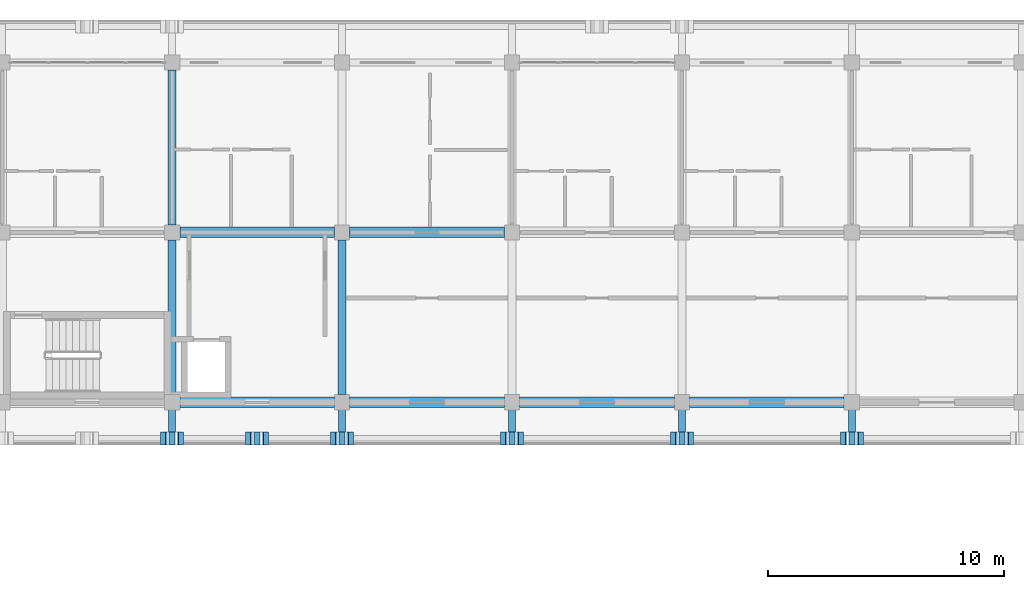
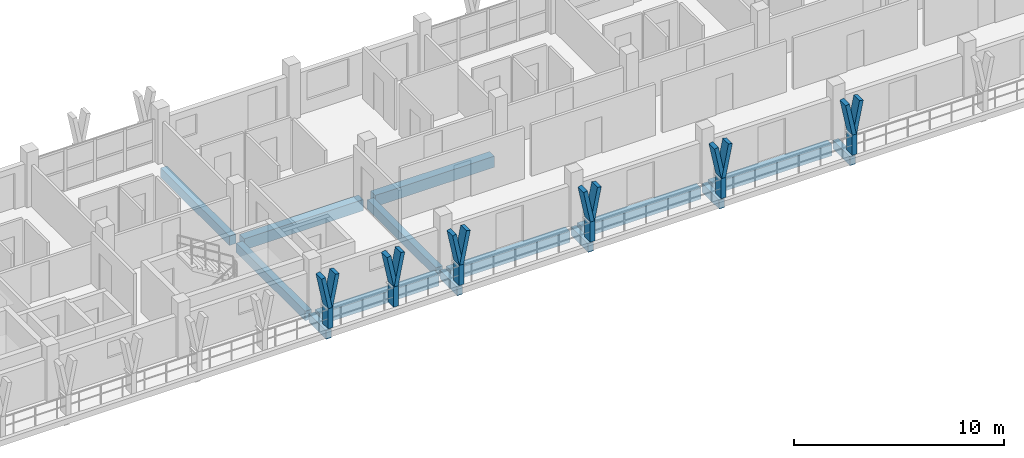
# One storey, part 17 of 76: 18 members, 14 beams.
"""IFC4 building model written with IfcOpenShell, lengths in metres."""

from ifc_helpers import new_model, si_unit, direction, frame, origin, origin_2d, place, context, subcontext, project, spatial, rectangle, extrude, material, material_profile, profile_set, type_object, element, save


model = new_model("IFC4")

# Units and contexts
model_context = context("Model", 3, precision=1e-05, world=origin(), true_north=direction((0.0, 1.0)))
body_context = subcontext(model_context, "Body", "Model", "MODEL_VIEW")
ifc_project = project(units=[si_unit("LENGTHUNIT", "METRE"), si_unit("AREAUNIT", "SQUARE_METRE"), si_unit("VOLUMEUNIT", "CUBIC_METRE"), si_unit("PLANEANGLEUNIT", "RADIAN"), si_unit("MASSUNIT", "GRAM", prefix="KILO")], contexts=[model_context])

# Site, building, storey
site_placement = place(None, origin())
site = spatial("IfcSite", under=ifc_project, at=site_placement, CompositionType="ELEMENT")
building_placement = place(site_placement, origin())
building = spatial("IfcBuilding", under=site, at=building_placement, Name="Suanplinth Sawtooth Commons", CompositionType="ELEMENT")
storey_placement = place(building_placement, frame((0.0, 0.0, 12.199951171875)))
storey = spatial("IfcBuildingStorey", under=building, at=storey_placement, Name="L03", CompositionType="ELEMENT", Elevation=12.199951171875)

# Beams
ifc_material_1 = material(Name="Precast concrete C40/50", Category="concrete")
ifc_material_profile_1 = material_profile(ifc_material_1, rectangle(XDim=0.449951171875, YDim=0.64990234375, at=origin_2d()), Name="PC-GDR 450x650")
ifc_profile_set_1 = profile_set([ifc_material_profile_1], Name="Precast concrete C40/50")
beam_type_1 = type_object("IfcBeamType", Name="B-04", PredefinedType="USERDEFINED", material=ifc_profile_set_1)
for number, where, z_axis, x_axis, name in (
    (1, (65.125, 108.0, -0.56494140625), (1.0, 0.0, 0.0), (0.0, 1.0, 0.0), "BMX-L03-A-9-15"),
    (2, (65.125, 115.199951171875, -0.56494140625), (1.0, 0.0, 0.0), (0.0, 1.0, 0.0), "BMX-L03-A-9-16"),
    (3, (72.324951171875, 108.0, -0.56494140625), (1.0, 0.0, 0.0), (0.0, 1.0, 0.0), "BMX-L03-A-10-15"),
    (4, (72.324951171875, 115.199951171875, -0.56494140625), (1.0, 0.0, 0.0), (0.0, 1.0, 0.0), "BMX-L03-A-10-16"),
    (5, (79.52490234375, 108.0, -0.56494140625), (1.0, 0.0, 0.0), (0.0, 1.0, 0.0), "BMX-L03-A-11-15"),
):
    element("IfcBeam", number, at=place(storey_placement, frame(where, z_axis=z_axis, x_axis=x_axis)), inside=storey, type_object=beam_type_1, Name=name, ObjectType="GIRDER", PredefinedType="USERDEFINED", context=body_context, shape_type="SweptSolid", body=[
        extrude(rectangle(XDim=0.449951171875, YDim=0.64990234375, at=origin_2d()), origin(), (0.0, 0.0, 1.0), 6.550048828125),
    ])
beam_placement = place(storey_placement, frame((86.72509765625, 108.0, -0.56494140625), z_axis=(1.0, 0.0, 0.0), x_axis=(0.0, 1.0, 0.0)))
element("IfcBeam", 6, at=beam_placement, inside=storey, type_object=beam_type_1, Name="BMX-L03-A-12-15", ObjectType="GIRDER", PredefinedType="USERDEFINED", context=body_context, shape_type="SweptSolid", body=[
    extrude(rectangle(XDim=0.449951171875, YDim=0.64990234375, at=origin_2d()), origin(), (0.0, 0.0, 1.0), 6.5498046875),
])
ifc_material_profile_2 = material_profile(ifc_material_1, rectangle(XDim=0.35009765625, YDim=0.550048828125, at=origin_2d()), Name="PC-BM 350x550")
ifc_profile_set_2 = profile_set([ifc_material_profile_2], Name="Precast concrete C40/50")
beam_type_2 = type_object("IfcBeamType", Name="B-06", PredefinedType="BEAM", material=ifc_profile_set_2)
for number, where, z_axis, x_axis, name in (
    (7, (64.800048828125, 108.324951171875, -0.514892578125), (0.0, 1.0, 0.0), (-1.0, 0.0, 0.0), "BMY-L03-A-9-15"),
    (8, (64.800048828125, 115.52490234375, -0.514892578125), (0.0, 1.0, 0.0), (-1.0, 0.0, 0.0), "BMY-L03-A-9-16"),
    (9, (72.0, 108.324951171875, -0.514892578125), (0.0, 1.0, 0.0), (-1.0, 0.0, 0.0), "BMY-L03-A-10-15"),
):
    element("IfcBeam", number, at=place(storey_placement, frame(where, z_axis=z_axis, x_axis=x_axis)), inside=storey, type_object=beam_type_2, Name=name, PredefinedType="BEAM", context=body_context, shape_type="SweptSolid", body=[
        extrude(rectangle(XDim=0.35009765625, YDim=0.550048828125, at=origin_2d()), origin(), (0.0, 0.0, 1.0), 6.550048828125),
    ])
ifc_material_profile_3 = material_profile(ifc_material_1, rectangle(XDim=0.300048828125, YDim=0.5, at=origin_2d()), Name="PC-BM 300x500")
ifc_profile_set_3 = profile_set([ifc_material_profile_3], Name="Precast concrete C40/50")
beam_type_3 = type_object("IfcBeamType", Name="B-07", PredefinedType="BEAM", material=ifc_profile_set_3)
for number, where, z_axis, x_axis, name in (
    (10, (64.800048828125, 108.0, -0.429931640625), (0.0, -1.0, 0.0), (1.0, 0.0, 0.0), "Balcony Outrigger L03-A-S-9"),
    (11, (72.0, 108.0, -0.429931640625), (0.0, -1.0, 0.0), (1.0, 0.0, 0.0), "Balcony Outrigger L03-A-S-10"),
    (12, (79.199951171875, 108.0, -0.429931640625), (0.0, -1.0, 0.0), (1.0, 0.0, 0.0), "Balcony Outrigger L03-A-S-11"),
    (13, (86.39990234375, 108.0, -0.429931640625), (0.0, -1.0, 0.0), (1.0, 0.0, 0.0), "Balcony Outrigger L03-A-S-12"),
    (14, (93.60009765625, 108.0, -0.429931640625), (0.0, -1.0, 0.0), (1.0, 0.0, 0.0), "Balcony Outrigger L03-A-S-13"),
):
    element("IfcBeam", number, at=place(storey_placement, frame(where, z_axis=z_axis, x_axis=x_axis)), inside=storey, type_object=beam_type_3, Name=name, PredefinedType="BEAM", context=body_context, shape_type="SweptSolid", body=[
        extrude(rectangle(XDim=0.300048828125, YDim=0.5, at=origin_2d()), origin(), (0.0, 0.0, 1.0), 1.639892578125),
    ])

# Members
ifc_material_2 = material(Name="Pigmented precast concrete C40/50", Category="concrete")
ifc_material_profile_4 = material_profile(ifc_material_2, rectangle(XDim=0.260009765625, YDim=0.550048828125, at=origin_2d()), Name="PC-FIN 260x550")
ifc_profile_set_4 = profile_set([ifc_material_profile_4], Name="Pigmented precast concrete C40/50")
member_type_1 = type_object("IfcMemberType", Name="M-09", PredefinedType="USERDEFINED", material=ifc_profile_set_4)
for number, where, z_axis, x_axis, name in (
    (15, (64.800048828125, 106.47998046875, 0.0), (0.0, 0.0, 1.0), (1.0, 0.0, 0.0), "Y-Blade Stem L03-A-S-22"),
    (16, (68.39990234375, 106.47998046875, 0.0), (0.0, 0.0, 1.0), (1.0, 0.0, 0.0), "Y-Blade Stem L03-A-S-23"),
    (17, (72.0, 106.47998046875, 0.0), (0.0, 0.0, 1.0), (1.0, 0.0, 0.0), "Y-Blade Stem L03-A-S-24"),
    (18, (79.199951171875, 106.47998046875, 0.0), (0.0, 0.0, 1.0), (1.0, 0.0, 0.0), "Y-Blade Stem L03-A-S-25"),
    (19, (86.39990234375, 106.47998046875, 0.0), (0.0, 0.0, 1.0), (1.0, 0.0, 0.0), "Y-Blade Stem L03-A-S-26"),
    (20, (93.60009765625, 106.47998046875, 0.0), (0.0, 0.0, 1.0), (1.0, 0.0, 0.0), "Y-Blade Stem L03-A-S-27"),
):
    element("IfcMember", number, at=place(storey_placement, frame(where, z_axis=z_axis, x_axis=x_axis)), inside=storey, type_object=member_type_1, Name=name, ObjectType="SHADING FIN", PredefinedType="USERDEFINED", context=body_context, shape_type="SweptSolid", body=[
        extrude(rectangle(XDim=0.260009765625, YDim=0.550048828125, at=origin_2d()), origin(), (0.0, 0.0, 1.0), 1.170166015625),
    ])
ifc_material_profile_5 = material_profile(ifc_material_2, rectangle(XDim=0.219970703125, YDim=0.550048828125, at=origin_2d()), Name="PC-FIN 220x550")
ifc_profile_set_5 = profile_set([ifc_material_profile_5], Name="Pigmented precast concrete C40/50")
member_type_2 = type_object("IfcMemberType", Name="M-10", PredefinedType="USERDEFINED", material=ifc_profile_set_5)
member_1_placement = place(storey_placement, frame((64.800048828125, 106.47998046875, 1.130126953125), z_axis=(-0.196431120402, 0.0, 0.980517626021), x_axis=(0.980517626021, 0.0, 0.196431120402)))
element("IfcMember", 21, at=member_1_placement, inside=storey, type_object=member_type_2, Name="Y-Blade Arm L L03-A-S-22", ObjectType="SHADING FIN", PredefinedType="USERDEFINED", context=body_context, shape_type="SweptSolid", body=[
    extrude(rectangle(XDim=0.219970703125, YDim=0.550048828125, at=origin_2d()), origin(), (0.0, 0.0, 1.0), 1.937744140625),
])
for number, where, z_axis, x_axis, name in (
    (22, (64.800048828125, 106.47998046875, 1.130126953125), (0.196309979414, 0.0, 0.980541886909), (-0.980541886909, 0.0, 0.196309979414), "Y-Blade Arm R L03-A-S-22"),
    (23, (68.39990234375, 106.47998046875, 1.130126953125), (-0.196309979414, 0.0, 0.980541886909), (0.980541886909, 0.0, 0.196309979414), "Y-Blade Arm L L03-A-S-23"),
):
    element("IfcMember", number, at=place(storey_placement, frame(where, z_axis=z_axis, x_axis=x_axis)), inside=storey, type_object=member_type_2, Name=name, ObjectType="SHADING FIN", PredefinedType="USERDEFINED", context=body_context, shape_type="SweptSolid", body=[
        extrude(rectangle(XDim=0.219970703125, YDim=0.550048828125, at=origin_2d()), origin(), (0.0, 0.0, 1.0), 1.9375),
    ])
for number, where, z_axis, x_axis, name in (
    (24, (68.39990234375, 106.47998046875, 1.130126953125), (0.196431120402, 0.0, 0.980517626021), (-0.980517626021, 0.0, 0.196431120402), "Y-Blade Arm R L03-A-S-23"),
    (25, (72.0, 106.47998046875, 1.130126953125), (-0.196431120402, 0.0, 0.980517626021), (0.980517626021, 0.0, 0.196431120402), "Y-Blade Arm L L03-A-S-24"),
    (26, (72.0, 106.47998046875, 1.130126953125), (0.196431120402, 0.0, 0.980517626021), (-0.980517626021, 0.0, 0.196431120402), "Y-Blade Arm R L03-A-S-24"),
):
    element("IfcMember", number, at=place(storey_placement, frame(where, z_axis=z_axis, x_axis=x_axis)), inside=storey, type_object=member_type_2, Name=name, ObjectType="SHADING FIN", PredefinedType="USERDEFINED", context=body_context, shape_type="SweptSolid", body=[
        extrude(rectangle(XDim=0.219970703125, YDim=0.550048828125, at=origin_2d()), origin(), (0.0, 0.0, 1.0), 1.937744140625),
    ])
member_2_placement = place(storey_placement, frame((79.199951171875, 106.47998046875, 1.130126953125), z_axis=(-0.196309979414, 0.0, 0.980541886909), x_axis=(0.980541886909, 0.0, 0.196309979414)))
element("IfcMember", 27, at=member_2_placement, inside=storey, type_object=member_type_2, Name="Y-Blade Arm L L03-A-S-25", ObjectType="SHADING FIN", PredefinedType="USERDEFINED", context=body_context, shape_type="SweptSolid", body=[
    extrude(rectangle(XDim=0.219970703125, YDim=0.550048828125, at=origin_2d()), origin(), (0.0, 0.0, 1.0), 1.9375),
])
member_3_placement = place(storey_placement, frame((79.199951171875, 106.47998046875, 1.130126953125), z_axis=(0.196431120402, 0.0, 0.980517626021), x_axis=(-0.980517626021, 0.0, 0.196431120402)))
element("IfcMember", 28, at=member_3_placement, inside=storey, type_object=member_type_2, Name="Y-Blade Arm R L03-A-S-25", ObjectType="SHADING FIN", PredefinedType="USERDEFINED", context=body_context, shape_type="SweptSolid", body=[
    extrude(rectangle(XDim=0.219970703125, YDim=0.550048828125, at=origin_2d()), origin(), (0.0, 0.0, 1.0), 1.937744140625),
])
member_4_placement = place(storey_placement, frame((86.39990234375, 106.47998046875, 1.130126953125), z_axis=(-0.196309979414, 0.0, 0.980541886909), x_axis=(0.980541886909, 0.0, 0.196309979414)))
element("IfcMember", 29, at=member_4_placement, inside=storey, type_object=member_type_2, Name="Y-Blade Arm L L03-A-S-26", ObjectType="SHADING FIN", PredefinedType="USERDEFINED", context=body_context, shape_type="SweptSolid", body=[
    extrude(rectangle(XDim=0.219970703125, YDim=0.550048828125, at=origin_2d()), origin(), (0.0, 0.0, 1.0), 1.9375),
])
for number, where, z_axis, x_axis, name in (
    (30, (86.39990234375, 106.47998046875, 1.130126953125), (0.196431120402, 0.0, 0.980517626021), (-0.980517626021, 0.0, 0.196431120402), "Y-Blade Arm R L03-A-S-26"),
    (31, (93.60009765625, 106.47998046875, 1.130126953125), (-0.196431120402, 0.0, 0.980517626021), (0.980517626021, 0.0, 0.196431120402), "Y-Blade Arm L L03-A-S-27"),
):
    element("IfcMember", number, at=place(storey_placement, frame(where, z_axis=z_axis, x_axis=x_axis)), inside=storey, type_object=member_type_2, Name=name, ObjectType="SHADING FIN", PredefinedType="USERDEFINED", context=body_context, shape_type="SweptSolid", body=[
        extrude(rectangle(XDim=0.219970703125, YDim=0.550048828125, at=origin_2d()), origin(), (0.0, 0.0, 1.0), 1.937744140625),
    ])
member_5_placement = place(storey_placement, frame((93.60009765625, 106.47998046875, 1.130126953125), z_axis=(0.196309979414, 0.0, 0.980541886909), x_axis=(-0.980541886909, 0.0, 0.196309979414)))
element("IfcMember", 32, at=member_5_placement, inside=storey, type_object=member_type_2, Name="Y-Blade Arm R L03-A-S-27", ObjectType="SHADING FIN", PredefinedType="USERDEFINED", context=body_context, shape_type="SweptSolid", body=[
    extrude(rectangle(XDim=0.219970703125, YDim=0.550048828125, at=origin_2d()), origin(), (0.0, 0.0, 1.0), 1.9375),
])

save(model, "model.ifc")
